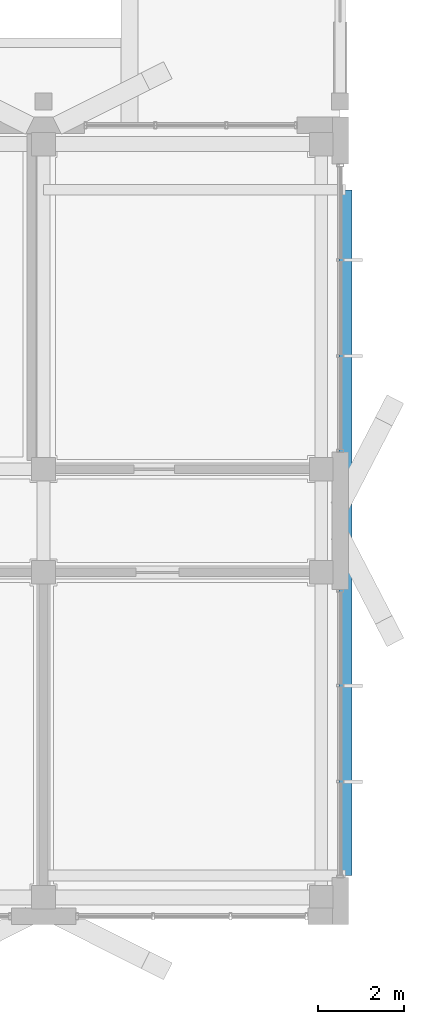
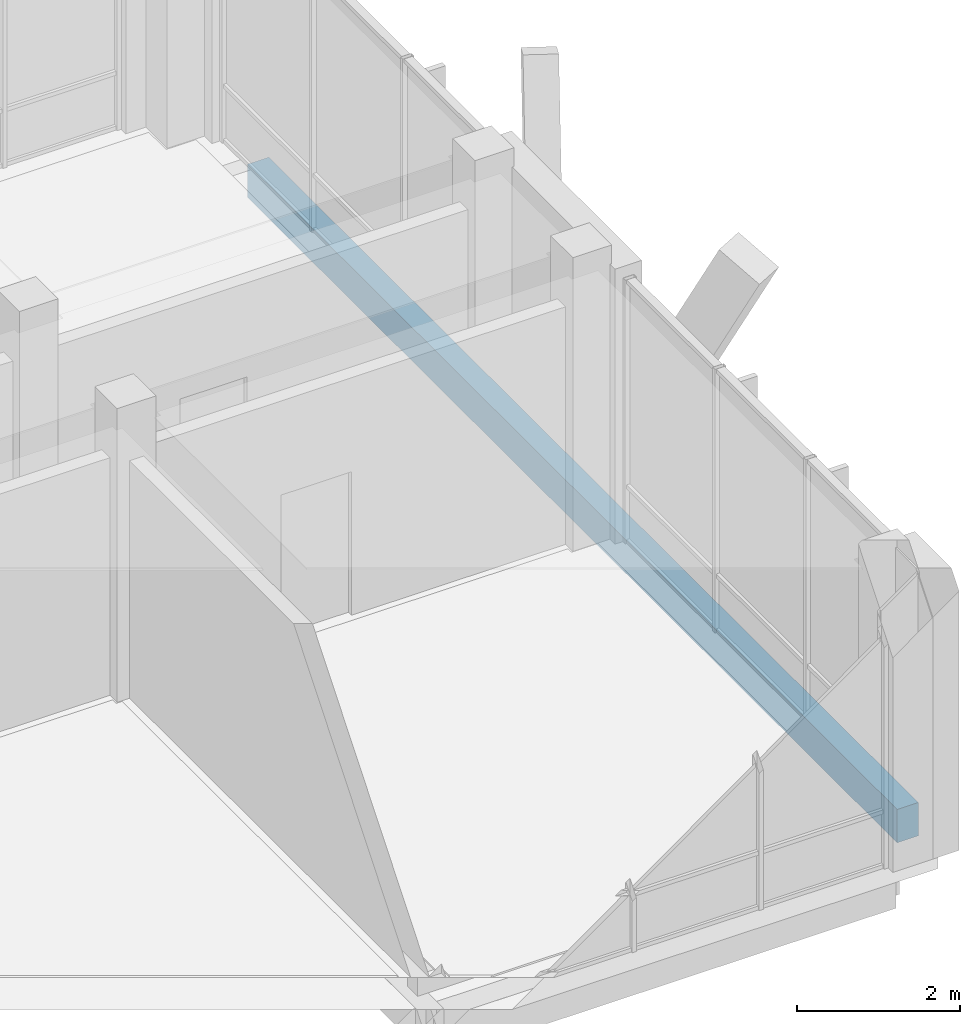
# One storey, part 146 of 233: 1 beam.
"""IFC4 building model written with IfcOpenShell, lengths in metres."""

from ifc_helpers import new_model, si_unit, direction, frame, origin, origin_2d, place, context, subcontext, project, spatial, rectangle, extrude, material, material_profile, profile_set, type_object, element, save


model = new_model("IFC4")

# Units and contexts
model_context = context("Model", 3, precision=1e-05, world=origin(), true_north=direction((0.0, 1.0)))
body_context = subcontext(model_context, "Body", "Model", "MODEL_VIEW")
ifc_project = project(units=[si_unit("LENGTHUNIT", "METRE"), si_unit("AREAUNIT", "SQUARE_METRE"), si_unit("VOLUMEUNIT", "CUBIC_METRE"), si_unit("PLANEANGLEUNIT", "RADIAN"), si_unit("MASSUNIT", "GRAM", prefix="KILO")], contexts=[model_context])

# Site, building, storey
site_placement = place(None, origin())
site = spatial("IfcSite", under=ifc_project, at=site_placement, CompositionType="ELEMENT")
building_placement = place(site_placement, origin())
building = spatial("IfcBuilding", under=site, at=building_placement, Name="Zavelmont Quarter", CompositionType="ELEMENT")
storey_placement = place(building_placement, origin())
storey = spatial("IfcBuildingStorey", under=building, at=storey_placement, Name="L00", CompositionType="ELEMENT", Elevation=0.0)

# Beam
ifc_material = material(Name="Concrete C35/45", Category="concrete")
ifc_material_profile = material_profile(ifc_material, rectangle(XDim=0.300048828125, YDim=0.5, at=origin_2d()), Name="RC300X500")
ifc_profile_set = profile_set([ifc_material_profile], Name="Concrete C35/45")
beam_type = type_object("IfcBeamType", Name="BM03", PredefinedType="BEAM", material=ifc_profile_set)
beam_placement = place(storey_placement, frame((168.1201171875, 0.949951171875, -0.25), z_axis=(0.0, 1.0, 0.0), x_axis=(-1.0, 0.0, 0.0)))
element("IfcBeam", 1, at=beam_placement, inside=storey, type_object=beam_type, Name="L00 beam BM03 25/A to 25/D", PredefinedType="BEAM", context=body_context, shape_type="SweptSolid", body=[
    extrude(rectangle(XDim=0.300048828125, YDim=0.5, at=origin_2d()), origin(), (0.0, 0.0, 1.0), 15.949951171875),
])

save(model, "model.ifc")
